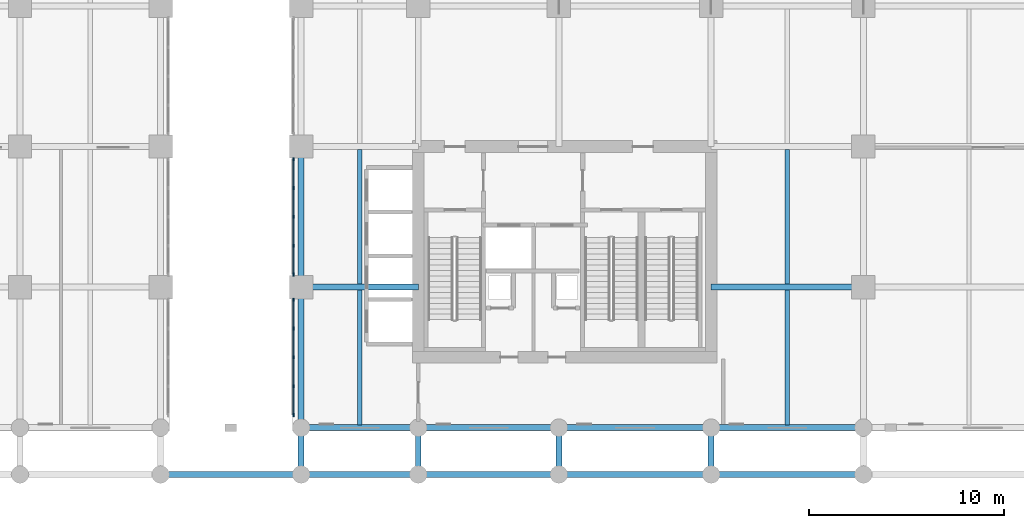
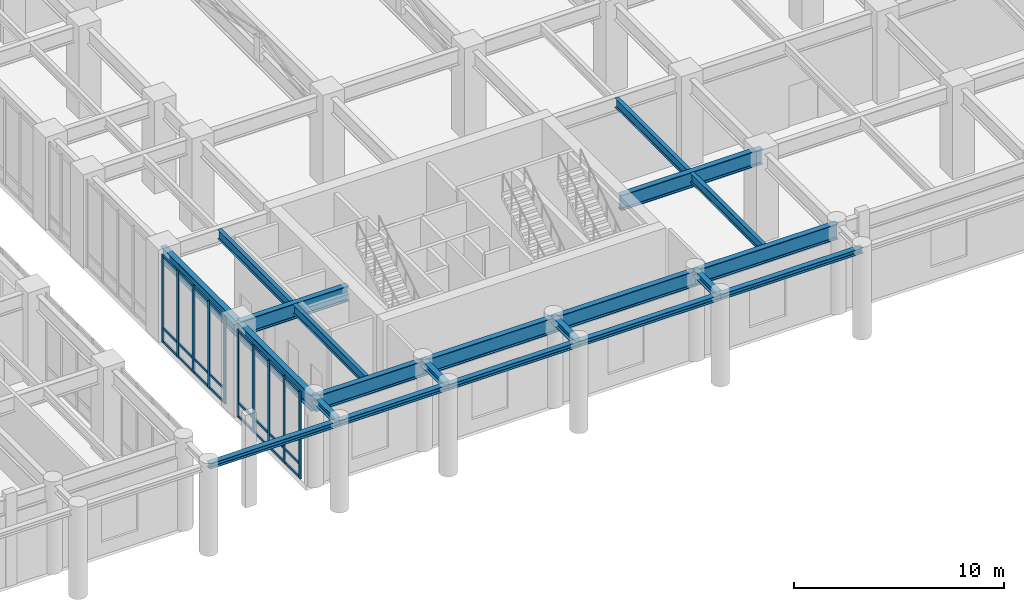
# One storey, part 4 of 24: 34 members, 21 beams, 2 elements without a shape of their own.
"""IFC4 building model written with IfcOpenShell, lengths in metres."""

from ifc_helpers import new_model, si_unit, derived_unit, direction, frame, origin, origin_2d, place, context, subcontext, project, spatial, rectangle, i_section, extrude, source, transform, mapped, material, layer, layer_set, material_profile, profile_set, type_object, type_shapes, element, aggregate, save


model = new_model("IFC4")

# Units and contexts
model_context = context("Model", 3, precision=1e-05, world=origin(), true_north=direction((0.0, 1.0)))
body_context = subcontext(model_context, "Body", "Model", "MODEL_VIEW")
ifc_project = project(units=[si_unit("LENGTHUNIT", "METRE"), si_unit("AREAUNIT", "SQUARE_METRE"), si_unit("VOLUMEUNIT", "CUBIC_METRE"), si_unit("PLANEANGLEUNIT", "RADIAN"), si_unit("MASSUNIT", "GRAM", prefix="KILO"), si_unit("THERMODYNAMICTEMPERATUREUNIT", "KELVIN"), si_unit("POWERUNIT", "WATT"), derived_unit("THERMALTRANSMITTANCEUNIT", [(si_unit("POWERUNIT", "WATT"), 1), (si_unit("AREAUNIT", "SQUARE_METRE"), -1), (si_unit("THERMODYNAMICTEMPERATUREUNIT", "KELVIN"), -1)])], contexts=[model_context])

# Site, building, storey
site_placement = place(None, origin())
site = spatial("IfcSite", under=ifc_project, at=site_placement, CompositionType="ELEMENT")
building_placement = place(site_placement, origin())
building = spatial("IfcBuilding", under=site, at=building_placement, Name="Zahravan Archway Hotel and Residences", CompositionType="ELEMENT")
storey_placement = place(building_placement, frame((0.0, 0.0, 10.800048828125)))
storey = spatial("IfcBuildingStorey", under=building, at=storey_placement, Name="L02", CompositionType="ELEMENT", Elevation=10.800048828125)

# Beams
ifc_material_1 = material(Name="Structural Steel S355J2", Category="steel")
ifc_material_profile_1 = material_profile(ifc_material_1, i_section(OverallWidth=0.300048828125, OverallDepth=0.89990234375, WebThickness=0.0185546875, FlangeThickness=0.034912109375, FilletRadius=0.030029296875, at=origin_2d()), Name="HEB 900", Category="steel")
ifc_profile_set_1 = profile_set([ifc_material_profile_1], Name="Structural Steel S355J2")
beam_type_1 = type_object("IfcBeamType", Name="BM-PRI-HEB900", PredefinedType="BEAM", material=ifc_profile_set_1)
shared_shape_1 = source(origin(), body_context, "Body", "SweptSolid", [
    extrude(i_section(OverallWidth=0.300048828125, OverallDepth=0.89990234375, WebThickness=0.0185546875, FlangeThickness=0.034912109375, FilletRadius=0.030029296875, at=origin_2d()), origin(), (0.0, 0.0, 1.0), 7.199951171875),
])
for number, where, z_axis, x_axis, name in (
    (1, (34.800048828125, 0.0, 4.64990234375), (1.0, 0.0, 0.0), (0.0, 1.0, 0.0), "L02 Primary Girder EW-06"),
    (2, (28.800048828125, 0.0, 4.64990234375), (0.0, 1.0, 0.0), (-1.0, 0.0, 0.0), "L02 Primary Girder NS-95"),
    (3, (28.800048828125, 7.199951171875, 4.64990234375), (0.0, 1.0, 0.0), (-1.0, 0.0, 0.0), "L02 Primary Girder NS-96"),
):
    element("IfcBeam", number, at=place(storey_placement, frame(where, z_axis=z_axis, x_axis=x_axis)), inside=storey, type_object=beam_type_1, Name=name, PredefinedType="BEAM", context=body_context, shape_type="MappedRepresentation", body=[
        mapped(shared_shape_1, transform((0.0, 0.0, 0.0), scale=1.0)),
    ])
shared_shape_2 = source(origin(), body_context, "Body", "SweptSolid", [
    extrude(i_section(OverallWidth=0.300048828125, OverallDepth=0.89990234375, WebThickness=0.0185546875, FlangeThickness=0.034912109375, FilletRadius=0.030029296875, at=origin_2d()), origin(), (0.0, 0.0, 1.0), 6.0),
])
for number, where, z_axis, x_axis, name in (
    (4, (28.800048828125, 0.0, 4.64990234375), (1.0, 0.0, 0.0), (0.0, 1.0, 0.0), "L02 Primary Girder EW-05"),
    (5, (28.800048828125, 7.199951171875, 4.64990234375), (1.0, 0.0, 0.0), (0.0, 1.0, 0.0), "L02 Primary Girder EW-15"),
):
    element("IfcBeam", number, at=place(storey_placement, frame(where, z_axis=z_axis, x_axis=x_axis)), inside=storey, type_object=beam_type_1, Name=name, PredefinedType="BEAM", context=body_context, shape_type="MappedRepresentation", body=[
        mapped(shared_shape_2, transform((0.0, 0.0, 0.0), scale=1.0)),
    ])
shared_shape_3 = source(origin(), body_context, "Body", "SweptSolid", [
    extrude(i_section(OverallWidth=0.300048828125, OverallDepth=0.89990234375, WebThickness=0.0185546875, FlangeThickness=0.034912109375, FilletRadius=0.030029296875, at=origin_2d()), origin(), (0.0, 0.0, 1.0), 7.800048828125),
])
for number, where, z_axis, x_axis, name in (
    (6, (42.0, 0.0, 4.64990234375), (1.0, 0.0, 0.0), (0.0, 1.0, 0.0), "L02 Primary Girder EW-07"),
    (7, (49.800048828125, 0.0, 4.64990234375), (1.0, 0.0, 0.0), (0.0, 1.0, 0.0), "L02 Primary Girder EW-08"),
    (8, (49.800048828125, 7.199951171875, 4.64990234375), (1.0, 0.0, 0.0), (0.0, 1.0, 0.0), "L02 Primary Girder EW-16"),
):
    element("IfcBeam", number, at=place(storey_placement, frame(where, z_axis=z_axis, x_axis=x_axis)), inside=storey, type_object=beam_type_1, Name=name, PredefinedType="BEAM", context=body_context, shape_type="MappedRepresentation", body=[
        mapped(shared_shape_3, transform((0.0, 0.0, 0.0), scale=1.0)),
    ])
ifc_material_2 = material(Name="Structural Steel S355JR", Category="steel")
ifc_material_profile_2 = material_profile(ifc_material_2, i_section(OverallWidth=0.2099609375, OverallDepth=0.550048828125, WebThickness=0.010986328125, FlangeThickness=0.01708984375, FilletRadius=0.02392578125, at=origin_2d()), Name="IPE 550", Category="steel")
ifc_profile_set_2 = profile_set([ifc_material_profile_2], Name="Structural Steel S355JR")
beam_type_2 = type_object("IfcBeamType", Name="BM-JST-IPE550", PredefinedType="JOIST", material=ifc_profile_set_2)
shared_shape_4 = source(origin(), body_context, "Body", "SweptSolid", [
    extrude(i_section(OverallWidth=0.2099609375, OverallDepth=0.550048828125, WebThickness=0.010986328125, FlangeThickness=0.01708984375, FilletRadius=0.02392578125, at=origin_2d()), origin(), (0.0, 0.0, 1.0), 6.904052734375),
])
type_shapes(beam_type_2, [shared_shape_4])
for number, where, z_axis, x_axis, name in (
    (9, (31.800048828125, 0.14794921875, 4.824951171875), (0.0, 1.0, 0.0), (-1.0, 0.0, 0.0), "L02 Composite Floor Joist 05"),
    (10, (53.699951171875, 0.14794921875, 4.824951171875), (0.0, 1.0, 0.0), (-1.0, 0.0, 0.0), "L02 Composite Floor Joist 06"),
    (11, (31.800048828125, 7.347900390625, 4.824951171875), (0.0, 1.0, 0.0), (-1.0, 0.0, 0.0), "L02 Composite Floor Joist 13"),
    (12, (53.699951171875, 7.347900390625, 4.824951171875), (0.0, 1.0, 0.0), (-1.0, 0.0, 0.0), "L02 Composite Floor Joist 14"),
):
    element("IfcBeam", number, at=place(storey_placement, frame(where, z_axis=z_axis, x_axis=x_axis)), inside=storey, type_object=beam_type_2, Name=name, PredefinedType="JOIST", context=body_context, shape_type="MappedRepresentation", body=[
        mapped(shared_shape_4, transform((0.0, 0.0, 0.0), scale=1.0)),
    ])
ifc_material_profile_3 = material_profile(ifc_material_2, i_section(OverallWidth=0.300048828125, OverallDepth=0.39990234375, WebThickness=0.013427734375, FlangeThickness=0.02392578125, FilletRadius=0.027099609375, at=origin_2d()), Name="HEB 400", Category="steel")
ifc_profile_set_3 = profile_set([ifc_material_profile_3], Name="Structural Steel S355JR")
beam_type_3 = type_object("IfcBeamType", Name="BM-PRI-HEB400", PredefinedType="BEAM", material=ifc_profile_set_3)
shared_shape_5 = source(origin(), body_context, "Body", "SweptSolid", [
    extrude(i_section(OverallWidth=0.300048828125, OverallDepth=0.39990234375, WebThickness=0.013427734375, FlangeThickness=0.02392578125, FilletRadius=0.027099609375, at=origin_2d()), origin(), (0.0, 0.0, 1.0), 2.39990234375),
])
for number, where, z_axis, x_axis, name in (
    (13, (28.800048828125, -2.39990234375, 4.9599609375), (0.0, 1.0, 0.0), (-1.0, 0.0, 0.0), "L02 South Colonnade Tie Girder 5"),
    (14, (34.800048828125, -2.39990234375, 4.9599609375), (0.0, 1.0, 0.0), (-1.0, 0.0, 0.0), "L02 South Colonnade Tie Girder 6"),
    (15, (42.0, -2.39990234375, 4.9599609375), (0.0, 1.0, 0.0), (-1.0, 0.0, 0.0), "L02 South Colonnade Tie Girder 7"),
    (16, (49.800048828125, -2.39990234375, 4.9599609375), (0.0, 1.0, 0.0), (-1.0, 0.0, 0.0), "L02 South Colonnade Tie Girder 8"),
):
    element("IfcBeam", number, at=place(storey_placement, frame(where, z_axis=z_axis, x_axis=x_axis)), inside=storey, type_object=beam_type_3, Name=name, PredefinedType="BEAM", context=body_context, shape_type="MappedRepresentation", body=[
        mapped(shared_shape_5, transform((0.0, 0.0, 0.0), scale=1.0)),
    ])
ifc_material_profile_4 = material_profile(ifc_material_2, i_section(OverallWidth=0.300048828125, OverallDepth=0.320068359375, WebThickness=0.011474609375, FlangeThickness=0.0205078125, FilletRadius=0.027099609375, at=origin_2d()), Name="HEB 320", Category="steel")
ifc_profile_set_4 = profile_set([ifc_material_profile_4], Name="Structural Steel S355JR")
beam_type_4 = type_object("IfcBeamType", Name="BM-SPN-HEB320", PredefinedType="SPANDREL", material=ifc_profile_set_4)
shared_shape_6 = source(origin(), body_context, "Body", "SweptSolid", [
    extrude(i_section(OverallWidth=0.300048828125, OverallDepth=0.320068359375, WebThickness=0.011474609375, FlangeThickness=0.0205078125, FilletRadius=0.027099609375, at=origin_2d()), origin(), (0.0, 0.0, 1.0), 7.199951171875),
])
type_shapes(beam_type_4, [shared_shape_6])
for number, where, z_axis, x_axis, name in (
    (17, (21.60009765625, -2.39990234375, 5.0), (1.0, 0.0, 0.0), (0.0, 1.0, 0.0), "L02 South Colonnade Spandrel 4"),
    (18, (34.800048828125, -2.39990234375, 5.0), (1.0, 0.0, 0.0), (0.0, 1.0, 0.0), "L02 South Colonnade Spandrel 6"),
):
    element("IfcBeam", number, at=place(storey_placement, frame(where, z_axis=z_axis, x_axis=x_axis)), inside=storey, type_object=beam_type_4, Name=name, PredefinedType="SPANDREL", context=body_context, shape_type="MappedRepresentation", body=[
        mapped(shared_shape_6, transform((0.0, 0.0, 0.0), scale=1.0)),
    ])
shared_shape_7 = source(origin(), body_context, "Body", "SweptSolid", [
    extrude(i_section(OverallWidth=0.300048828125, OverallDepth=0.320068359375, WebThickness=0.011474609375, FlangeThickness=0.0205078125, FilletRadius=0.027099609375, at=origin_2d()), origin(), (0.0, 0.0, 1.0), 6.0),
])
beam_placement = place(storey_placement, frame((28.800048828125, -2.39990234375, 5.0), z_axis=(1.0, 0.0, 0.0), x_axis=(0.0, 1.0, 0.0)))
element("IfcBeam", 19, at=beam_placement, inside=storey, type_object=beam_type_4, Name="L02 South Colonnade Spandrel 5", PredefinedType="SPANDREL", context=body_context, shape_type="MappedRepresentation", body=[
    mapped(shared_shape_7, transform((0.0, 0.0, 0.0), scale=1.0)),
])
shared_shape_8 = source(origin(), body_context, "Body", "SweptSolid", [
    extrude(i_section(OverallWidth=0.300048828125, OverallDepth=0.320068359375, WebThickness=0.011474609375, FlangeThickness=0.0205078125, FilletRadius=0.027099609375, at=origin_2d()), origin(), (0.0, 0.0, 1.0), 7.800048828125),
])
for number, where, z_axis, x_axis, name in (
    (20, (42.0, -2.39990234375, 5.0), (1.0, 0.0, 0.0), (0.0, 1.0, 0.0), "L02 South Colonnade Spandrel 7"),
    (21, (49.800048828125, -2.39990234375, 5.0), (1.0, 0.0, 0.0), (0.0, 1.0, 0.0), "L02 South Colonnade Spandrel 8"),
):
    element("IfcBeam", number, at=place(storey_placement, frame(where, z_axis=z_axis, x_axis=x_axis)), inside=storey, type_object=beam_type_4, Name=name, PredefinedType="SPANDREL", context=body_context, shape_type="MappedRepresentation", body=[
        mapped(shared_shape_8, transform((0.0, 0.0, 0.0), scale=1.0)),
    ])

# Curtain wall, members
ifc_material_3 = material(Name="Bronze-Anodized Unitised Aluminium & Low-E Glass", Category="aluminium")
ifc_layer = layer(ifc_material_3, 0.179931640625, Name="Bronze-Anodized Unitised Aluminium & Low-E Glass", Category="aluminium")
ifc_layer_set = layer_set([ifc_layer], Name="Bronze-Anodized Unitised Aluminium & Low-E Glass")
curtain_wall_type = type_object("IfcCurtainWallType", Name="CW-POD-ARCH", PredefinedType="NOTDEFINED", material=ifc_layer_set)
curtain_wall_1_placement = place(storey_placement, origin())
curtain_wall_1 = element("IfcCurtainWall", 22, at=curtain_wall_1_placement, inside=storey, type_object=curtain_wall_type, Name="L02 Curtain Wall CW-PORTE-L02-1", PredefinedType="NOTDEFINED")
ifc_material_4 = material(Name="Bronze-Anodized Extruded Aluminium", Category="aluminium")
ifc_material_profile_5 = material_profile(ifc_material_4, rectangle(XDim=0.080078125, YDim=0.139892578125, at=origin_2d()), Name="TRN 80x140", Category="aluminium")
ifc_profile_set_5 = profile_set([ifc_material_profile_5], Name="Bronze-Anodized Extruded Aluminium")
member_type_1 = type_object("IfcMemberType", Name="CWM-TRN-140", PredefinedType="USERDEFINED", material=ifc_profile_set_5)
shared_shape_9 = source(origin(), body_context, "Body", "SweptSolid", [
    extrude(rectangle(XDim=0.080078125, YDim=0.139892578125, at=origin_2d()), origin(), (0.0, 0.0, 1.0), 1.397216796875),
])
member_1_placement = place(storey_placement, frame((28.39990234375, 0.685302734375, 0.070068359375), z_axis=(0.0, 1.0, 0.0), x_axis=(-1.0, 0.0, 0.0)))
member_1 = element("IfcMember", 23, at=member_1_placement, type_object=member_type_1, Name="CW-PORTE-L02-1 Transom 0-1", ObjectType="TRANSOM", PredefinedType="USERDEFINED", context=body_context, shape_type="MappedRepresentation", body=[
    mapped(shared_shape_9, transform((0.0, 0.0, 0.0), scale=1.0)),
])
member_2_placement = place(storey_placement, frame((28.39990234375, 0.685302734375, 0.849853515625), z_axis=(0.0, 1.0, 0.0), x_axis=(-1.0, 0.0, 0.0)))
member_2 = element("IfcMember", 24, at=member_2_placement, type_object=member_type_1, Name="CW-PORTE-L02-1 Transom 0-2", ObjectType="TRANSOM", PredefinedType="USERDEFINED", context=body_context, shape_type="MappedRepresentation", body=[
    mapped(shared_shape_9, transform((0.0, 0.0, 0.0), scale=1.0)),
])
member_3_placement = place(storey_placement, frame((28.39990234375, 0.685302734375, 5.030029296875), z_axis=(0.0, 1.0, 0.0), x_axis=(-1.0, 0.0, 0.0)))
member_3 = element("IfcMember", 25, at=member_3_placement, type_object=member_type_1, Name="CW-PORTE-L02-1 Transom 0-3", ObjectType="TRANSOM", PredefinedType="USERDEFINED", context=body_context, shape_type="MappedRepresentation", body=[
    mapped(shared_shape_9, transform((0.0, 0.0, 0.0), scale=1.0)),
])

curtain_wall_2_placement = place(storey_placement, origin())
curtain_wall_2 = element("IfcCurtainWall", 26, at=curtain_wall_2_placement, inside=storey, type_object=curtain_wall_type, Name="L02 Curtain Wall CW-PORTE-L02-2", PredefinedType="NOTDEFINED")
member_4_placement = place(storey_placement, frame((28.39990234375, 10.840087890625, 0.070068359375), z_axis=(0.0, 1.0, 0.0), x_axis=(-1.0, 0.0, 0.0)))
member_4 = element("IfcMember", 27, at=member_4_placement, type_object=member_type_1, Name="CW-PORTE-L02-2 Transom 2-1", ObjectType="TRANSOM", PredefinedType="USERDEFINED", context=body_context, shape_type="MappedRepresentation", body=[
    mapped(shared_shape_9, transform((0.0, 0.0, 0.0), scale=1.0)),
])
member_5_placement = place(storey_placement, frame((28.39990234375, 10.840087890625, 0.849853515625), z_axis=(0.0, 1.0, 0.0), x_axis=(-1.0, 0.0, 0.0)))
member_5 = element("IfcMember", 28, at=member_5_placement, type_object=member_type_1, Name="CW-PORTE-L02-2 Transom 2-2", ObjectType="TRANSOM", PredefinedType="USERDEFINED", context=body_context, shape_type="MappedRepresentation", body=[
    mapped(shared_shape_9, transform((0.0, 0.0, 0.0), scale=1.0)),
])
member_6_placement = place(storey_placement, frame((28.39990234375, 10.840087890625, 5.030029296875), z_axis=(0.0, 1.0, 0.0), x_axis=(-1.0, 0.0, 0.0)))
member_6 = element("IfcMember", 29, at=member_6_placement, type_object=member_type_1, Name="CW-PORTE-L02-2 Transom 2-3", ObjectType="TRANSOM", PredefinedType="USERDEFINED", context=body_context, shape_type="MappedRepresentation", body=[
    mapped(shared_shape_9, transform((0.0, 0.0, 0.0), scale=1.0)),
])

# Member
shared_shape_10 = source(origin(), body_context, "Body", "SweptSolid", [
    extrude(rectangle(XDim=0.080078125, YDim=0.139892578125, at=origin_2d()), origin(), (0.0, 0.0, 1.0), 1.3974609375),
])
member_7_placement = place(storey_placement, frame((28.39990234375, 2.16259765625, 0.070068359375), z_axis=(0.0, 1.0, 0.0), x_axis=(-1.0, 0.0, 0.0)))
member_7 = element("IfcMember", 30, at=member_7_placement, type_object=member_type_1, Name="CW-PORTE-L02-1 Transom 1-1", ObjectType="TRANSOM", PredefinedType="USERDEFINED", context=body_context, shape_type="MappedRepresentation", body=[
    mapped(shared_shape_10, transform((0.0, 0.0, 0.0), scale=1.0)),
])

member_8_placement = place(storey_placement, frame((28.39990234375, 2.16259765625, 0.849853515625), z_axis=(0.0, 1.0, 0.0), x_axis=(-1.0, 0.0, 0.0)))
member_8 = element("IfcMember", 31, at=member_8_placement, type_object=member_type_1, Name="CW-PORTE-L02-1 Transom 1-2", ObjectType="TRANSOM", PredefinedType="USERDEFINED", context=body_context, shape_type="MappedRepresentation", body=[
    mapped(shared_shape_10, transform((0.0, 0.0, 0.0), scale=1.0)),
])

member_9_placement = place(storey_placement, frame((28.39990234375, 2.16259765625, 5.030029296875), z_axis=(0.0, 1.0, 0.0), x_axis=(-1.0, 0.0, 0.0)))
member_9 = element("IfcMember", 32, at=member_9_placement, type_object=member_type_1, Name="CW-PORTE-L02-1 Transom 1-3", ObjectType="TRANSOM", PredefinedType="USERDEFINED", context=body_context, shape_type="MappedRepresentation", body=[
    mapped(shared_shape_10, transform((0.0, 0.0, 0.0), scale=1.0)),
])

member_10_placement = place(storey_placement, frame((28.39990234375, 3.639892578125, 0.070068359375), z_axis=(0.0, 1.0, 0.0), x_axis=(-1.0, 0.0, 0.0)))
member_10 = element("IfcMember", 33, at=member_10_placement, type_object=member_type_1, Name="CW-PORTE-L02-1 Transom 2-1", ObjectType="TRANSOM", PredefinedType="USERDEFINED", context=body_context, shape_type="MappedRepresentation", body=[
    mapped(shared_shape_10, transform((0.0, 0.0, 0.0), scale=1.0)),
])

member_11_placement = place(storey_placement, frame((28.39990234375, 3.639892578125, 0.849853515625), z_axis=(0.0, 1.0, 0.0), x_axis=(-1.0, 0.0, 0.0)))
member_11 = element("IfcMember", 34, at=member_11_placement, type_object=member_type_1, Name="CW-PORTE-L02-1 Transom 2-2", ObjectType="TRANSOM", PredefinedType="USERDEFINED", context=body_context, shape_type="MappedRepresentation", body=[
    mapped(shared_shape_10, transform((0.0, 0.0, 0.0), scale=1.0)),
])

member_12_placement = place(storey_placement, frame((28.39990234375, 3.639892578125, 5.030029296875), z_axis=(0.0, 1.0, 0.0), x_axis=(-1.0, 0.0, 0.0)))
member_12 = element("IfcMember", 35, at=member_12_placement, type_object=member_type_1, Name="CW-PORTE-L02-1 Transom 2-3", ObjectType="TRANSOM", PredefinedType="USERDEFINED", context=body_context, shape_type="MappedRepresentation", body=[
    mapped(shared_shape_10, transform((0.0, 0.0, 0.0), scale=1.0)),
])

member_13_placement = place(storey_placement, frame((28.39990234375, 5.117431640625, 0.070068359375), z_axis=(0.0, 1.0, 0.0), x_axis=(-1.0, 0.0, 0.0)))
member_13 = element("IfcMember", 36, at=member_13_placement, type_object=member_type_1, Name="CW-PORTE-L02-1 Transom 3-1", ObjectType="TRANSOM", PredefinedType="USERDEFINED", context=body_context, shape_type="MappedRepresentation", body=[
    mapped(shared_shape_10, transform((0.0, 0.0, 0.0), scale=1.0)),
])

member_14_placement = place(storey_placement, frame((28.39990234375, 5.117431640625, 0.849853515625), z_axis=(0.0, 1.0, 0.0), x_axis=(-1.0, 0.0, 0.0)))
member_14 = element("IfcMember", 37, at=member_14_placement, type_object=member_type_1, Name="CW-PORTE-L02-1 Transom 3-2", ObjectType="TRANSOM", PredefinedType="USERDEFINED", context=body_context, shape_type="MappedRepresentation", body=[
    mapped(shared_shape_10, transform((0.0, 0.0, 0.0), scale=1.0)),
])

member_15_placement = place(storey_placement, frame((28.39990234375, 5.117431640625, 5.030029296875), z_axis=(0.0, 1.0, 0.0), x_axis=(-1.0, 0.0, 0.0)))
member_15 = element("IfcMember", 38, at=member_15_placement, type_object=member_type_1, Name="CW-PORTE-L02-1 Transom 3-3", ObjectType="TRANSOM", PredefinedType="USERDEFINED", context=body_context, shape_type="MappedRepresentation", body=[
    mapped(shared_shape_10, transform((0.0, 0.0, 0.0), scale=1.0)),
])

member_16_placement = place(storey_placement, frame((28.39990234375, 7.88525390625, 0.070068359375), z_axis=(0.0, 1.0, 0.0), x_axis=(-1.0, 0.0, 0.0)))
member_16 = element("IfcMember", 39, at=member_16_placement, type_object=member_type_1, Name="CW-PORTE-L02-2 Transom 0-1", ObjectType="TRANSOM", PredefinedType="USERDEFINED", context=body_context, shape_type="MappedRepresentation", body=[
    mapped(shared_shape_10, transform((0.0, 0.0, 0.0), scale=1.0)),
])

member_17_placement = place(storey_placement, frame((28.39990234375, 7.88525390625, 0.849853515625), z_axis=(0.0, 1.0, 0.0), x_axis=(-1.0, 0.0, 0.0)))
member_17 = element("IfcMember", 40, at=member_17_placement, type_object=member_type_1, Name="CW-PORTE-L02-2 Transom 0-2", ObjectType="TRANSOM", PredefinedType="USERDEFINED", context=body_context, shape_type="MappedRepresentation", body=[
    mapped(shared_shape_10, transform((0.0, 0.0, 0.0), scale=1.0)),
])

member_18_placement = place(storey_placement, frame((28.39990234375, 7.88525390625, 5.030029296875), z_axis=(0.0, 1.0, 0.0), x_axis=(-1.0, 0.0, 0.0)))
member_18 = element("IfcMember", 41, at=member_18_placement, type_object=member_type_1, Name="CW-PORTE-L02-2 Transom 0-3", ObjectType="TRANSOM", PredefinedType="USERDEFINED", context=body_context, shape_type="MappedRepresentation", body=[
    mapped(shared_shape_10, transform((0.0, 0.0, 0.0), scale=1.0)),
])

member_19_placement = place(storey_placement, frame((28.39990234375, 9.362548828125, 0.070068359375), z_axis=(0.0, 1.0, 0.0), x_axis=(-1.0, 0.0, 0.0)))
member_19 = element("IfcMember", 42, at=member_19_placement, type_object=member_type_1, Name="CW-PORTE-L02-2 Transom 1-1", ObjectType="TRANSOM", PredefinedType="USERDEFINED", context=body_context, shape_type="MappedRepresentation", body=[
    mapped(shared_shape_10, transform((0.0, 0.0, 0.0), scale=1.0)),
])

member_20_placement = place(storey_placement, frame((28.39990234375, 9.362548828125, 0.849853515625), z_axis=(0.0, 1.0, 0.0), x_axis=(-1.0, 0.0, 0.0)))
member_20 = element("IfcMember", 43, at=member_20_placement, type_object=member_type_1, Name="CW-PORTE-L02-2 Transom 1-2", ObjectType="TRANSOM", PredefinedType="USERDEFINED", context=body_context, shape_type="MappedRepresentation", body=[
    mapped(shared_shape_10, transform((0.0, 0.0, 0.0), scale=1.0)),
])

member_21_placement = place(storey_placement, frame((28.39990234375, 9.362548828125, 5.030029296875), z_axis=(0.0, 1.0, 0.0), x_axis=(-1.0, 0.0, 0.0)))
member_21 = element("IfcMember", 44, at=member_21_placement, type_object=member_type_1, Name="CW-PORTE-L02-2 Transom 1-3", ObjectType="TRANSOM", PredefinedType="USERDEFINED", context=body_context, shape_type="MappedRepresentation", body=[
    mapped(shared_shape_10, transform((0.0, 0.0, 0.0), scale=1.0)),
])

member_22_placement = place(storey_placement, frame((28.39990234375, 12.3173828125, 0.070068359375), z_axis=(0.0, 1.0, 0.0), x_axis=(-1.0, 0.0, 0.0)))
member_22 = element("IfcMember", 45, at=member_22_placement, type_object=member_type_1, Name="CW-PORTE-L02-2 Transom 3-1", ObjectType="TRANSOM", PredefinedType="USERDEFINED", context=body_context, shape_type="MappedRepresentation", body=[
    mapped(shared_shape_10, transform((0.0, 0.0, 0.0), scale=1.0)),
])

member_23_placement = place(storey_placement, frame((28.39990234375, 12.3173828125, 0.849853515625), z_axis=(0.0, 1.0, 0.0), x_axis=(-1.0, 0.0, 0.0)))
member_23 = element("IfcMember", 46, at=member_23_placement, type_object=member_type_1, Name="CW-PORTE-L02-2 Transom 3-2", ObjectType="TRANSOM", PredefinedType="USERDEFINED", context=body_context, shape_type="MappedRepresentation", body=[
    mapped(shared_shape_10, transform((0.0, 0.0, 0.0), scale=1.0)),
])

member_24_placement = place(storey_placement, frame((28.39990234375, 12.3173828125, 5.030029296875), z_axis=(0.0, 1.0, 0.0), x_axis=(-1.0, 0.0, 0.0)))
member_24 = element("IfcMember", 47, at=member_24_placement, type_object=member_type_1, Name="CW-PORTE-L02-2 Transom 3-3", ObjectType="TRANSOM", PredefinedType="USERDEFINED", context=body_context, shape_type="MappedRepresentation", body=[
    mapped(shared_shape_10, transform((0.0, 0.0, 0.0), scale=1.0)),
])

ifc_material_profile_6 = material_profile(ifc_material_4, rectangle(XDim=0.080078125, YDim=0.159912109375, at=origin_2d()), Name="MUL 80x160", Category="aluminium")
ifc_profile_set_6 = profile_set([ifc_material_profile_6], Name="Bronze-Anodized Extruded Aluminium")
member_type_2 = type_object("IfcMemberType", Name="CWM-MUL-160", PredefinedType="MULLION", material=ifc_profile_set_6)
shared_shape_11 = source(origin(), body_context, "Body", "SweptSolid", [
    extrude(rectangle(XDim=0.080078125, YDim=0.159912109375, at=origin_2d()), origin(), (0.0, 0.0, 1.0), 5.099853515625),
])
member_25_placement = place(storey_placement, frame((28.39990234375, 0.645263671875, 0.0), z_axis=(0.0, 0.0, 1.0), x_axis=(1.0, 0.0, 0.0)))
member_25 = element("IfcMember", 48, at=member_25_placement, type_object=member_type_2, Name="CW-PORTE-L02-1 Mullion 0", PredefinedType="MULLION", context=body_context, shape_type="MappedRepresentation", body=[
    mapped(shared_shape_11, transform((0.0, 0.0, 0.0), scale=1.0)),
])

member_26_placement = place(storey_placement, frame((28.39990234375, 2.12255859375, 0.0), z_axis=(0.0, 0.0, 1.0), x_axis=(1.0, 0.0, 0.0)))
member_26 = element("IfcMember", 49, at=member_26_placement, type_object=member_type_2, Name="CW-PORTE-L02-1 Mullion 1", PredefinedType="MULLION", context=body_context, shape_type="MappedRepresentation", body=[
    mapped(shared_shape_11, transform((0.0, 0.0, 0.0), scale=1.0)),
])

member_27_placement = place(storey_placement, frame((28.39990234375, 3.60009765625, 0.0), z_axis=(0.0, 0.0, 1.0), x_axis=(1.0, 0.0, 0.0)))
member_27 = element("IfcMember", 50, at=member_27_placement, type_object=member_type_2, Name="CW-PORTE-L02-1 Mullion 2", PredefinedType="MULLION", context=body_context, shape_type="MappedRepresentation", body=[
    mapped(shared_shape_11, transform((0.0, 0.0, 0.0), scale=1.0)),
])

member_28_placement = place(storey_placement, frame((28.39990234375, 5.077392578125, 0.0), z_axis=(0.0, 0.0, 1.0), x_axis=(1.0, 0.0, 0.0)))
member_28 = element("IfcMember", 51, at=member_28_placement, type_object=member_type_2, Name="CW-PORTE-L02-1 Mullion 3", PredefinedType="MULLION", context=body_context, shape_type="MappedRepresentation", body=[
    mapped(shared_shape_11, transform((0.0, 0.0, 0.0), scale=1.0)),
])

member_29_placement = place(storey_placement, frame((28.39990234375, 6.5546875, 0.0), z_axis=(0.0, 0.0, 1.0), x_axis=(1.0, 0.0, 0.0)))
member_29 = element("IfcMember", 52, at=member_29_placement, type_object=member_type_2, Name="CW-PORTE-L02-1 Mullion 4", PredefinedType="MULLION", context=body_context, shape_type="MappedRepresentation", body=[
    mapped(shared_shape_11, transform((0.0, 0.0, 0.0), scale=1.0)),
])

aggregate(curtain_wall_1, [member_25, member_26, member_27, member_28, member_29, member_1, member_2, member_3, member_7, member_8, member_9, member_10, member_11, member_12, member_13, member_14, member_15])

member_30_placement = place(storey_placement, frame((28.39990234375, 7.84521484375, 0.0), z_axis=(0.0, 0.0, 1.0), x_axis=(1.0, 0.0, 0.0)))
member_30 = element("IfcMember", 53, at=member_30_placement, type_object=member_type_2, Name="CW-PORTE-L02-2 Mullion 0", PredefinedType="MULLION", context=body_context, shape_type="MappedRepresentation", body=[
    mapped(shared_shape_11, transform((0.0, 0.0, 0.0), scale=1.0)),
])

member_31_placement = place(storey_placement, frame((28.39990234375, 9.322509765625, 0.0), z_axis=(0.0, 0.0, 1.0), x_axis=(1.0, 0.0, 0.0)))
member_31 = element("IfcMember", 54, at=member_31_placement, type_object=member_type_2, Name="CW-PORTE-L02-2 Mullion 1", PredefinedType="MULLION", context=body_context, shape_type="MappedRepresentation", body=[
    mapped(shared_shape_11, transform((0.0, 0.0, 0.0), scale=1.0)),
])

member_32_placement = place(storey_placement, frame((28.39990234375, 10.800048828125, 0.0), z_axis=(0.0, 0.0, 1.0), x_axis=(1.0, 0.0, 0.0)))
member_32 = element("IfcMember", 55, at=member_32_placement, type_object=member_type_2, Name="CW-PORTE-L02-2 Mullion 2", PredefinedType="MULLION", context=body_context, shape_type="MappedRepresentation", body=[
    mapped(shared_shape_11, transform((0.0, 0.0, 0.0), scale=1.0)),
])

member_33_placement = place(storey_placement, frame((28.39990234375, 12.27734375, 0.0), z_axis=(0.0, 0.0, 1.0), x_axis=(1.0, 0.0, 0.0)))
member_33 = element("IfcMember", 56, at=member_33_placement, type_object=member_type_2, Name="CW-PORTE-L02-2 Mullion 3", PredefinedType="MULLION", context=body_context, shape_type="MappedRepresentation", body=[
    mapped(shared_shape_11, transform((0.0, 0.0, 0.0), scale=1.0)),
])

member_34_placement = place(storey_placement, frame((28.39990234375, 13.7548828125, 0.0), z_axis=(0.0, 0.0, 1.0), x_axis=(1.0, 0.0, 0.0)))
member_34 = element("IfcMember", 57, at=member_34_placement, type_object=member_type_2, Name="CW-PORTE-L02-2 Mullion 4", PredefinedType="MULLION", context=body_context, shape_type="MappedRepresentation", body=[
    mapped(shared_shape_11, transform((0.0, 0.0, 0.0), scale=1.0)),
])

aggregate(curtain_wall_2, [member_30, member_31, member_32, member_33, member_34, member_16, member_17, member_18, member_19, member_20, member_21, member_4, member_5, member_6, member_22, member_23, member_24])

save(model, "model.ifc")
